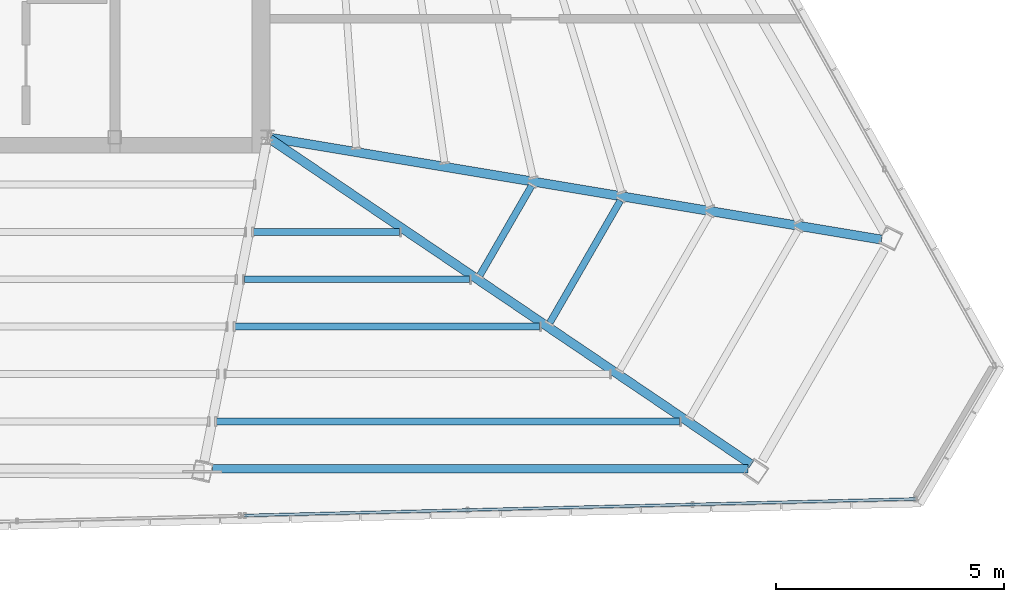
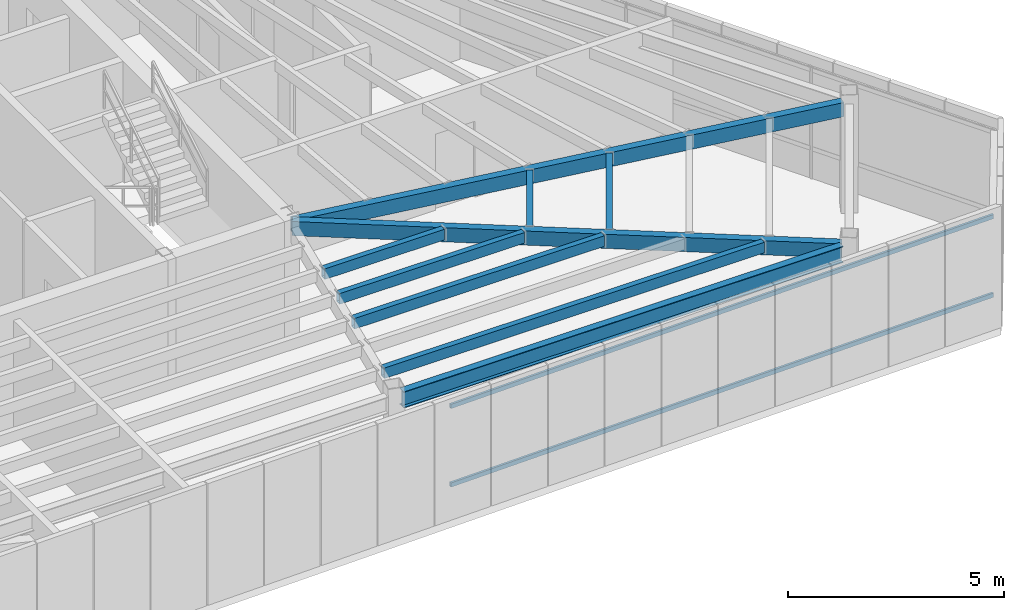
# One storey, part 22 of 47: 9 beams, 2 members, 1 element without a shape of its own.
"""IFC4 building model written with IfcOpenShell, lengths in metres."""

from ifc_helpers import new_model, si_unit, direction, frame, origin, origin_2d, place, context, subcontext, project, spatial, hollow_rectangle, i_section, extrude, source, transform, mapped, material, material_profile, profile_set, type_object, type_shapes, element, aggregate, save


model = new_model("IFC4")

# Units and contexts
model_context = context("Model", 3, precision=1e-05, world=origin(), true_north=direction((0.0, 1.0)))
body_context = subcontext(model_context, "Body", "Model", "MODEL_VIEW")
ifc_project = project(units=[si_unit("LENGTHUNIT", "METRE"), si_unit("AREAUNIT", "SQUARE_METRE"), si_unit("VOLUMEUNIT", "CUBIC_METRE"), si_unit("PLANEANGLEUNIT", "RADIAN"), si_unit("MASSUNIT", "GRAM", prefix="KILO")], contexts=[model_context])

# Site, building, storey
site_placement = place(None, origin())
site = spatial("IfcSite", under=ifc_project, at=site_placement, CompositionType="ELEMENT")
building_placement = place(site_placement, origin())
building = spatial("IfcBuilding", under=site, at=building_placement, Name="Caelisora Broadcast Tower", CompositionType="ELEMENT")
storey_placement = place(building_placement, frame((0.0, 0.0, 293.199951171875)))
storey = spatial("IfcBuildingStorey", under=building, at=storey_placement, Name="L77", CompositionType="ELEMENT", Elevation=293.199951171875)

# Beams
ifc_material_1 = material(Name="Steel Grade 350 (AS/NZS 1163 C350L0)", Category="steel")
ifc_material_profile_1 = material_profile(ifc_material_1, hollow_rectangle(XDim=0.199951171875, YDim=0.39990234375, WallThickness=0.012451171875, at=origin_2d()), Name="Steel Grade 350 (AS/NZS 1163 C350L0)")
ifc_profile_set_1 = profile_set([ifc_material_profile_1], Name="Steel Grade 350 (AS/NZS 1163 C350L0)")
beam_type_1 = type_object("IfcBeamType", Name="PG07", PredefinedType="BEAM", material=ifc_profile_set_1)
shared_shape_1 = source(origin(), body_context, "Body", "SweptSolid", [
    extrude(hollow_rectangle(XDim=0.199951171875, YDim=0.39990234375, WallThickness=0.012451171875, at=origin_2d()), origin(), (0.0, 0.0, 1.0), 12.7548828125),
])
beam_1_placement = place(storey_placement, frame((45.5498046875, 17.366455078125, 2.949951171875), z_axis=(0.828422384229, -0.560103877248, 0.0), x_axis=(0.560103877248, 0.828422384229, 0.0)))
element("IfcBeam", 1, at=beam_1_placement, inside=storey, type_object=beam_type_1, Name="L77 beam PG07", PredefinedType="BEAM", context=body_context, shape_type="MappedRepresentation", body=[
    mapped(shared_shape_1, transform((0.0, 0.0, 0.0), scale=1.0)),
])
ifc_material_2 = material(Name="Steel Grade 350 (AS/NZS 3679.1)", Category="steel")
ifc_material_profile_2 = material_profile(ifc_material_2, i_section(OverallWidth=0.19091796875, OverallDepth=0.46044921875, WebThickness=0.010009765625, FlangeThickness=0.01611328125, at=origin_2d()), Name="Steel Grade 350 (AS/NZS 3679.1)")
ifc_profile_set_2 = profile_set([ifc_material_profile_2], Name="Steel Grade 350 (AS/NZS 3679.1)")
beam_type_2 = type_object("IfcBeamType", Name="PG06", PredefinedType="BEAM", material=ifc_profile_set_2)
shared_shape_2 = source(origin(), body_context, "Body", "SweptSolid", [
    extrude(i_section(OverallWidth=0.19091796875, OverallDepth=0.46044921875, WebThickness=0.010009765625, FlangeThickness=0.01611328125, at=origin_2d()), origin(), (0.0, 0.0, 1.0), 11.754150390625),
])
type_shapes(beam_type_2, [shared_shape_2])
beam_2_placement = place(storey_placement, frame((44.293212890625, 10.128173828125, 2.919921875), z_axis=(1.0, 0.0, 0.0), x_axis=(0.0, 1.0, 0.0)))
element("IfcBeam", 2, at=beam_2_placement, inside=storey, type_object=beam_type_2, Name="L77 beam PG06", PredefinedType="BEAM", context=body_context, shape_type="MappedRepresentation", body=[
    mapped(shared_shape_2, transform((0.0, 0.0, 0.0), scale=1.0)),
])
shared_shape_3 = source(origin(), body_context, "Body", "SweptSolid", [
    extrude(hollow_rectangle(XDim=0.199951171875, YDim=0.39990234375, WallThickness=0.012451171875, at=origin_2d()), origin(), (0.0, 0.0, 1.0), 13.601318359375),
])
type_shapes(beam_type_1, [shared_shape_1, shared_shape_3])
beam_3_placement = place(storey_placement, frame((45.55908203125, 17.39013671875, 2.949951171875), z_axis=(0.986393438699, -0.164401898077, 0.0), x_axis=(0.164401898077, 0.986393438699, 0.0)))
element("IfcBeam", 3, at=beam_3_placement, inside=storey, type_object=beam_type_1, Name="L77 beam PG07", PredefinedType="BEAM", context=body_context, shape_type="MappedRepresentation", body=[
    mapped(shared_shape_3, transform((0.0, 0.0, 0.0), scale=1.0)),
])
ifc_material_profile_3 = material_profile(ifc_material_1, hollow_rectangle(XDim=0.14990234375, YDim=0.300048828125, WallThickness=0.010009765625, at=origin_2d()), Name="Steel Grade 350 (AS/NZS 1163 C350L0)")
ifc_profile_set_3 = profile_set([ifc_material_profile_3], Name="Steel Grade 350 (AS/NZS 1163 C350L0)")
beam_type_3 = type_object("IfcBeamType", Name="SB05", PredefinedType="JOIST", material=ifc_profile_set_3)
shared_shape_4 = source(origin(), body_context, "Body", "SweptSolid", [
    extrude(hollow_rectangle(XDim=0.14990234375, YDim=0.300048828125, WallThickness=0.010009765625, at=origin_2d()), origin(), (0.0, 0.0, 1.0), 2.272216796875),
])
beam_4_placement = place(storey_placement, frame((50.158203125, 14.367919921875, 3.0), z_axis=(0.499964285679, 0.866046022475, 0.0), x_axis=(-0.866046022475, 0.499964285679, 0.0)))
element("IfcBeam", 4, at=beam_4_placement, inside=storey, type_object=beam_type_3, Name="L77 beam SB05", PredefinedType="JOIST", context=body_context, shape_type="MappedRepresentation", body=[
    mapped(shared_shape_4, transform((0.0, 0.0, 0.0), scale=1.0)),
])
shared_shape_5 = source(origin(), body_context, "Body", "SweptSolid", [
    extrude(hollow_rectangle(XDim=0.14990234375, YDim=0.300048828125, WallThickness=0.010009765625, at=origin_2d()), origin(), (0.0, 0.0, 1.0), 3.0966796875),
])
beam_5_placement = place(storey_placement, frame((51.694580078125, 13.3291015625, 3.0), z_axis=(0.499988605523, 0.866031982289, 0.0), x_axis=(-0.866031982289, 0.499988605523, 0.0)))
element("IfcBeam", 5, at=beam_5_placement, inside=storey, type_object=beam_type_3, Name="L77 beam SB05", PredefinedType="JOIST", context=body_context, shape_type="MappedRepresentation", body=[
    mapped(shared_shape_5, transform((0.0, 0.0, 0.0), scale=1.0)),
])
shared_shape_6 = source(origin(), body_context, "Body", "SweptSolid", [
    extrude(hollow_rectangle(XDim=0.14990234375, YDim=0.300048828125, WallThickness=0.010009765625, at=origin_2d()), origin(), (0.0, 0.0, 1.0), 3.202880859375),
])
beam_6_placement = place(storey_placement, frame((45.194580078125, 15.322265625, 3.0), z_axis=(1.0, 0.0, 0.0), x_axis=(0.0, 1.0, 0.0)))
element("IfcBeam", 6, at=beam_6_placement, inside=storey, type_object=beam_type_3, Name="L77 beam SB05", PredefinedType="JOIST", context=body_context, shape_type="MappedRepresentation", body=[
    mapped(shared_shape_6, transform((0.0, 0.0, 0.0), scale=1.0)),
])
shared_shape_7 = source(origin(), body_context, "Body", "SweptSolid", [
    extrude(hollow_rectangle(XDim=0.14990234375, YDim=0.300048828125, WallThickness=0.010009765625, at=origin_2d()), origin(), (0.0, 0.0, 1.0), 4.94140625),
])
beam_7_placement = place(storey_placement, frame((44.992431640625, 14.283447265625, 3.0), z_axis=(1.0, 0.0, 0.0), x_axis=(0.0, 1.0, 0.0)))
element("IfcBeam", 7, at=beam_7_placement, inside=storey, type_object=beam_type_3, Name="L77 beam SB05", PredefinedType="JOIST", context=body_context, shape_type="MappedRepresentation", body=[
    mapped(shared_shape_7, transform((0.0, 0.0, 0.0), scale=1.0)),
])
shared_shape_8 = source(origin(), body_context, "Body", "SweptSolid", [
    extrude(hollow_rectangle(XDim=0.14990234375, YDim=0.300048828125, WallThickness=0.010009765625, at=origin_2d()), origin(), (0.0, 0.0, 1.0), 6.68017578125),
])
beam_8_placement = place(storey_placement, frame((44.790283203125, 13.24462890625, 3.0), z_axis=(1.0, 0.0, 0.0), x_axis=(0.0, 1.0, 0.0)))
element("IfcBeam", 8, at=beam_8_placement, inside=storey, type_object=beam_type_3, Name="L77 beam SB05", PredefinedType="JOIST", context=body_context, shape_type="MappedRepresentation", body=[
    mapped(shared_shape_8, transform((0.0, 0.0, 0.0), scale=1.0)),
])
shared_shape_9 = source(origin(), body_context, "Body", "SweptSolid", [
    extrude(hollow_rectangle(XDim=0.14990234375, YDim=0.300048828125, WallThickness=0.010009765625, at=origin_2d()), origin(), (0.0, 0.0, 1.0), 10.1572265625),
])
type_shapes(beam_type_3, [shared_shape_4, shared_shape_5, shared_shape_6, shared_shape_7, shared_shape_8, shared_shape_9])
beam_9_placement = place(storey_placement, frame((44.385986328125, 11.1669921875, 3.0), z_axis=(1.0, 0.0, 0.0), x_axis=(0.0, 1.0, 0.0)))
element("IfcBeam", 9, at=beam_9_placement, inside=storey, type_object=beam_type_3, Name="L77 beam SB05", PredefinedType="JOIST", context=body_context, shape_type="MappedRepresentation", body=[
    mapped(shared_shape_9, transform((0.0, 0.0, 0.0), scale=1.0)),
])

# Curtain wall, members
ifc_material_3 = material(Name="Unitised Aluminium Insulated Shadow-Box Spandrel Curtain Wall", Category="aluminium")
curtain_wall_type = type_object("IfcCurtainWallType", Name="CW-SP3", PredefinedType="NOTDEFINED", material=ifc_material_3)
curtain_wall_placement = place(storey_placement, origin())
curtain_wall = element("IfcCurtainWall", 10, at=curtain_wall_placement, inside=storey, type_object=curtain_wall_type, Name="L77 curtain wall CW-SP3", PredefinedType="NOTDEFINED")
ifc_material_4 = material(Name="Aluminium 6063-T6 Anodised Terracotta Bronze", Category="aluminium")
ifc_material_profile_4 = material_profile(ifc_material_4, hollow_rectangle(XDim=0.06005859375, YDim=0.1201171875, WallThickness=0.0029296875, at=origin_2d()), Name="Aluminium 6063-T6 Anodised Terracotta Bronze")
ifc_profile_set_4 = profile_set([ifc_material_profile_4], Name="Aluminium 6063-T6 Anodised Terracotta Bronze")
member_type = type_object("IfcMemberType", Name="CWT-03", PredefinedType="USERDEFINED", material=ifc_profile_set_4)
shared_shape_10 = source(origin(), body_context, "Body", "SweptSolid", [
    extrude(hollow_rectangle(XDim=0.06005859375, YDim=0.1201171875, WallThickness=0.0029296875, at=origin_2d()), origin(), (0.0, 0.0, 1.0), 14.719482421875),
])
type_shapes(member_type, [shared_shape_10])
member_1_placement = place(storey_placement, frame((59.714111328125, 9.4638671875, 0.85009765625), z_axis=(-0.999697441363, -0.024597270843, 0.0), x_axis=(0.024597270843, -0.999697441363, 0.0)))
member_1 = element("IfcMember", 11, at=member_1_placement, type_object=member_type, Name="L77-CW-B05 transom #1", ObjectType="TRANSOM", PredefinedType="USERDEFINED", context=body_context, shape_type="MappedRepresentation", body=[
    mapped(shared_shape_10, transform((0.0, 0.0, 0.0), scale=1.0)),
])
member_2_placement = place(storey_placement, frame((59.714111328125, 9.4638671875, 3.070068359375), z_axis=(-0.999697441363, -0.024597270843, 0.0), x_axis=(0.024597270843, -0.999697441363, 0.0)))
member_2 = element("IfcMember", 12, at=member_2_placement, type_object=member_type, Name="L77-CW-B05 transom #2", ObjectType="TRANSOM", PredefinedType="USERDEFINED", context=body_context, shape_type="MappedRepresentation", body=[
    mapped(shared_shape_10, transform((0.0, 0.0, 0.0), scale=1.0)),
])
aggregate(curtain_wall, [member_1, member_2])

save(model, "model.ifc")
